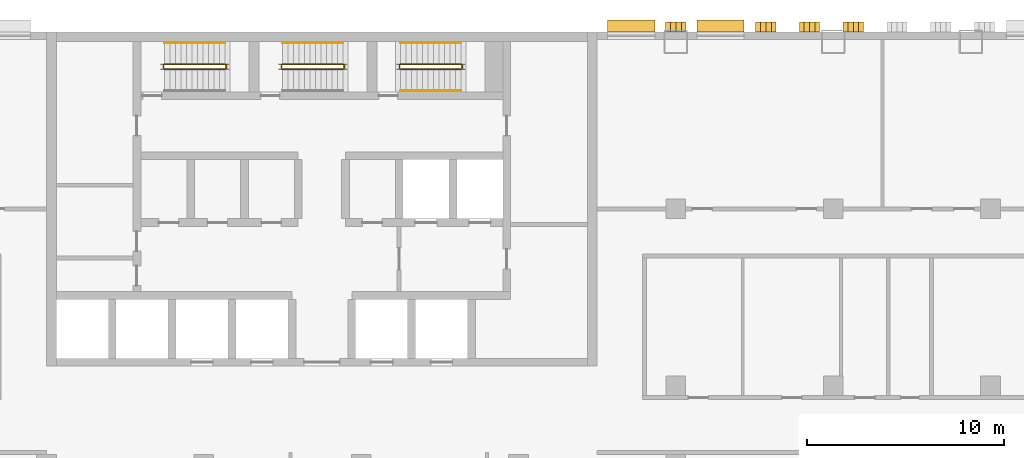
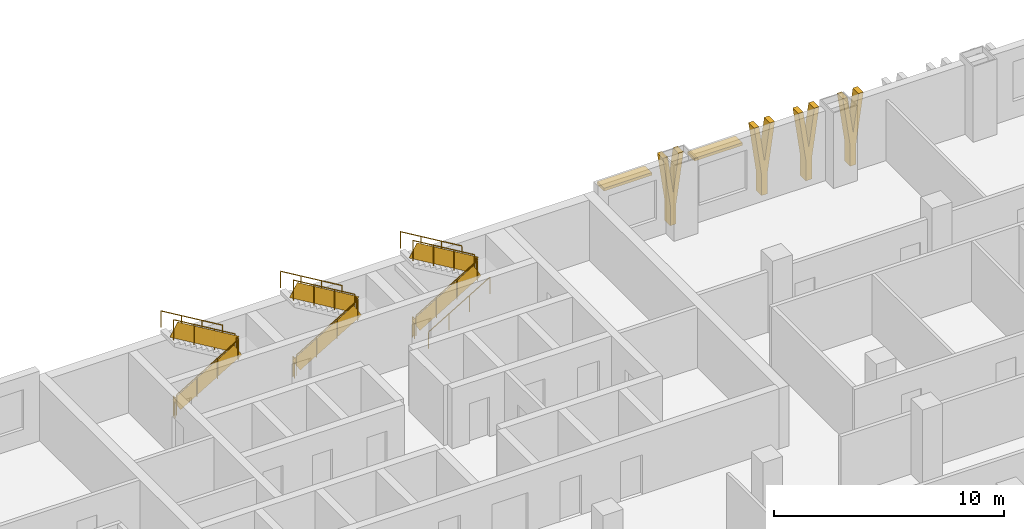
# One storey, part 23 of 24: 16 railings, 6 shading devices.
"""IFC4 building model written with IfcOpenShell, lengths in metres."""

from ifc_helpers import new_model, si_unit, direction, frame, origin, origin_2d, place, context, subcontext, project, spatial, polyline, rectangle, circle, outline, extrude, material, layer, layer_set, type_object, element, save


model = new_model("IFC4")

# Units and contexts
model_context = context("Model", 3, precision=1e-05, world=origin(), true_north=direction((0.0, 1.0)))
body_context = subcontext(model_context, "Body", "Model", "MODEL_VIEW")
ifc_project = project(units=[si_unit("LENGTHUNIT", "METRE"), si_unit("AREAUNIT", "SQUARE_METRE"), si_unit("VOLUMEUNIT", "CUBIC_METRE"), si_unit("PLANEANGLEUNIT", "RADIAN"), si_unit("MASSUNIT", "GRAM", prefix="KILO")], contexts=[model_context])

# Site, building, storey
site_placement = place(None, origin())
site = spatial("IfcSite", under=ifc_project, at=site_placement, CompositionType="ELEMENT")
building_placement = place(site_placement, origin())
building = spatial("IfcBuilding", under=site, at=building_placement, Name="Vidyagriha Tower", CompositionType="ELEMENT")
storey_placement = place(building_placement, frame((0.0, 0.0, 22.0)))
storey = spatial("IfcBuildingStorey", under=building, at=storey_placement, Name="L05", CompositionType="ELEMENT", Elevation=22.0)

# Shading devices
ifc_material_1 = material(Name="Precast concrete C40/50 with brick facing", Category="concrete")
ifc_layer_1 = layer(ifc_material_1, 0.14990234375)
ifc_layer_set_1 = layer_set([ifc_layer_1], Name="Precast concrete C40/50 with brick facing")
shading_device_type_1 = type_object("IfcShadingDeviceType", Name="Brick chhajja window hood", PredefinedType="AWNING", material=ifc_layer_set_1)
for number, where, z_axis, x_axis, name in (
    (1, (20.264892578125, 20.300048828125, 3.0), (0.0, 0.0, 1.0), (-1.0, 0.0, 0.0), "Window hood L05 R02.12"),
    (2, (15.735107421875, 20.300048828125, 3.0), (0.0, 0.0, 1.0), (-1.0, 0.0, 0.0), "Window hood L05 R02.14"),
):
    element("IfcShadingDevice", number, at=place(storey_placement, frame(where, z_axis=z_axis, x_axis=x_axis)), inside=storey, type_object=shading_device_type_1, Name=name, PredefinedType="AWNING", context=body_context, shape_type="SweptSolid", body=[
        extrude(rectangle(XDim=2.39990234375, YDim=0.60009765625, at=origin_2d()), origin(), (0.0, 0.0, 1.0), 0.14990234375),
    ])
ifc_material_2 = material(Name="Precast concrete C40/50 with buff brick facing", Category="concrete")
ifc_layer_2 = layer(ifc_material_2, 0.300048828125)
ifc_layer_set_2 = layer_set([ifc_layer_2], Name="Precast concrete C40/50 with buff brick facing")
shading_device_type_2 = type_object("IfcShadingDeviceType", Name="Brick-faced podium blade forking 8 degrees", PredefinedType="USERDEFINED", material=ifc_layer_set_2)
for number, where, z_axis, x_axis, name in (
    (3, (27.53662109375, 20.25, 0.0), (0.0, 0.0, 1.0), (-1.0, 0.0, 0.0), "Podium blade L05 R02.1258"),
    (4, (25.314208984375, 20.25, 0.0), (0.0, 0.0, 1.0), (-1.0, 0.0, 0.0), "Podium blade L05 R02.1480"),
    (5, (23.091796875, 20.25, 0.0), (0.0, 0.0, 1.0), (-1.0, 0.0, 0.0), "Podium blade L05 R02.1702"),
    (6, (18.515380859375, 20.25, 0.0), (0.0, 0.0, 1.0), (-1.0, 0.0, 0.0), "Podium blade L05 R02.2160"),
):
    element("IfcShadingDevice", number, at=place(storey_placement, frame(where, z_axis=z_axis, x_axis=x_axis)), inside=storey, type_object=shading_device_type_2, Name=name, ObjectType="BLADE FIN", PredefinedType="USERDEFINED", context=body_context, shape_type="SweptSolid", body=[
        extrude(outline(polyline([(0.665283203125, 0.0), (0.665283203125, 1.10009765625), (1.03076171875, 3.699951171875), (0.790771484375, 3.699951171875), (0.515380859375, 1.740478515625), (0.239990234375, 3.699951171875), (0.0, 3.699951171875), (0.365478515625, 1.10009765625), (0.365478515625, 0.0), (0.665283203125, 0.0)])), frame((0.0, 0.25, 0.0), z_axis=(0.0, -1.0, 0.0), x_axis=(1.0, 0.0, 0.0)), (0.0, 0.0, 1.0), 0.5),
    ])

# Railings
ifc_material_3 = material(Name="Steel ASTM A500 Grade C", Category="steel")
railing_type_1 = type_object("IfcRailingType", Name="Stair guard 1100 mm, steel balustrade", PredefinedType="GUARDRAIL", material=ifc_material_3)
railing_1_placement = place(storey_placement, frame((-8.0, 18.10009765625, 0.166748046875)))
element("IfcRailing", 7, at=railing_1_placement, inside=storey, type_object=railing_type_1, Name="L05 ST1 stair guard 1", PredefinedType="GUARDRAIL", context=body_context, shape_type="SweptSolid", body=[
    extrude(circle(Radius=0.02392578125, at=origin_2d()), frame((0.0, 0.0, 1.076171875), z_axis=(0.859308565015, 0.0, 0.511457515432), x_axis=(0.0, 1.0, 0.0)), (0.0, 0.0, 1.0), 3.58447265625),
    extrude(circle(Radius=0.02099609375, at=origin_2d()), origin(), (0.0, 0.0, 1.0), 1.052001953125),
    extrude(circle(Radius=0.02099609375, at=origin_2d()), frame((1.026611328125, 0.0, 0.611083984375)), (0.0, 0.0, 1.0), 1.052001953125),
    extrude(circle(Radius=0.02099609375, at=origin_2d()), frame((2.053466796875, 0.0, 1.22216796875)), (0.0, 0.0, 1.0), 1.052001953125),
    extrude(circle(Radius=0.02099609375, at=origin_2d()), frame((3.080078125, 0.0, 1.833251953125)), (0.0, 0.0, 1.0), 1.052001953125),
    extrude(rectangle(XDim=0.010009765625, YDim=0.775146484375, at=origin_2d()), frame((0.0, 0.0, 0.551025390625), z_axis=(0.859308565015, 0.0, 0.511457515432), x_axis=(0.0, 1.0, 0.0)), (0.0, 0.0, 1.0), 3.58447265625),
])
railing_2_placement = place(storey_placement, frame((-4.8701171875, 18.14990234375, 2.0)))
element("IfcRailing", 8, at=railing_2_placement, inside=storey, type_object=railing_type_1, Name="L05 ST1 stair guard 2", PredefinedType="GUARDRAIL", context=body_context, shape_type="SweptSolid", body=[
    extrude(circle(Radius=0.02392578125, at=origin_2d()), frame((0.0, 0.0, 1.076171875), z_axis=(0.0, 1.0, 0.0), x_axis=(-1.0, 0.0, 0.0)), (0.0, 0.0, 1.0), 0.150146484375),
    extrude(circle(Radius=0.02099609375, at=origin_2d()), origin(), (0.0, 0.0, 1.0), 1.052001953125),
    extrude(circle(Radius=0.02099609375, at=origin_2d()), frame((0.0, 0.150146484375, 0.0)), (0.0, 0.0, 1.0), 1.052001953125),
    extrude(rectangle(XDim=0.010009765625, YDim=0.902099609375, at=origin_2d()), frame((0.0, 0.0, 0.551025390625), z_axis=(0.0, 1.0, 0.0), x_axis=(-1.0, 0.0, 0.0)), (0.0, 0.0, 1.0), 0.150146484375),
])
railing_3_placement = place(storey_placement, frame((-4.919921875, 18.35009765625, 2.166748046875)))
element("IfcRailing", 9, at=railing_3_placement, inside=storey, type_object=railing_type_1, Name="L05 ST1 stair guard 3", PredefinedType="GUARDRAIL", context=body_context, shape_type="SweptSolid", body=[
    extrude(circle(Radius=0.02392578125, at=origin_2d()), frame((0.0, 0.0, 1.076171875), z_axis=(-0.859308565015, 0.0, 0.511457515432), x_axis=(0.0, -1.0, 0.0)), (0.0, 0.0, 1.0), 3.58447265625),
    extrude(circle(Radius=0.02099609375, at=origin_2d()), origin(), (0.0, 0.0, 1.0), 1.052001953125),
    extrude(circle(Radius=0.02099609375, at=origin_2d()), frame((-1.026611328125, 0.0, 0.611083984375)), (0.0, 0.0, 1.0), 1.052001953125),
    extrude(circle(Radius=0.02099609375, at=origin_2d()), frame((-2.053466796875, 0.0, 1.22216796875)), (0.0, 0.0, 1.0), 1.052001953125),
    extrude(circle(Radius=0.02099609375, at=origin_2d()), frame((-3.080078125, 0.0, 1.833251953125)), (0.0, 0.0, 1.0), 1.052001953125),
    extrude(rectangle(XDim=0.010009765625, YDim=0.775146484375, at=origin_2d()), frame((0.0, 0.0, 0.551025390625), z_axis=(-0.859308565015, 0.0, 0.511457515432), x_axis=(0.0, -1.0, 0.0)), (0.0, 0.0, 1.0), 3.58447265625),
])
railing_4_placement = place(storey_placement, frame((-8.050048828125, 18.14990234375, 0.0)))
element("IfcRailing", 10, at=railing_4_placement, inside=storey, type_object=railing_type_1, Name="L05 ST1 stair guard 4", PredefinedType="GUARDRAIL", context=body_context, shape_type="SweptSolid", body=[
    extrude(circle(Radius=0.02392578125, at=origin_2d()), frame((0.0, 0.0, 1.076171875), z_axis=(0.0, 1.0, 0.0), x_axis=(-1.0, 0.0, 0.0)), (0.0, 0.0, 1.0), 0.150146484375),
    extrude(circle(Radius=0.02099609375, at=origin_2d()), origin(), (0.0, 0.0, 1.0), 1.052001953125),
    extrude(circle(Radius=0.02099609375, at=origin_2d()), frame((0.0, 0.150146484375, 0.0)), (0.0, 0.0, 1.0), 1.052001953125),
    extrude(rectangle(XDim=0.010009765625, YDim=0.902099609375, at=origin_2d()), frame((0.0, 0.0, 0.551025390625), z_axis=(0.0, 1.0, 0.0), x_axis=(-1.0, 0.0, 0.0)), (0.0, 0.0, 1.0), 0.150146484375),
])
railing_5_placement = place(storey_placement, frame((-2.0, 18.10009765625, 0.166748046875)))
element("IfcRailing", 11, at=railing_5_placement, inside=storey, type_object=railing_type_1, Name="L05 ST2 stair guard 1", PredefinedType="GUARDRAIL", context=body_context, shape_type="SweptSolid", body=[
    extrude(circle(Radius=0.02392578125, at=origin_2d()), frame((0.0, 0.0, 1.076171875), z_axis=(0.859308565015, 0.0, 0.511457515432), x_axis=(0.0, 1.0, 0.0)), (0.0, 0.0, 1.0), 3.58447265625),
    extrude(circle(Radius=0.02099609375, at=origin_2d()), origin(), (0.0, 0.0, 1.0), 1.052001953125),
    extrude(circle(Radius=0.02099609375, at=origin_2d()), frame((1.026611328125, 0.0, 0.611083984375)), (0.0, 0.0, 1.0), 1.052001953125),
    extrude(circle(Radius=0.02099609375, at=origin_2d()), frame((2.053466796875, 0.0, 1.22216796875)), (0.0, 0.0, 1.0), 1.052001953125),
    extrude(circle(Radius=0.02099609375, at=origin_2d()), frame((3.080078125, 0.0, 1.833251953125)), (0.0, 0.0, 1.0), 1.052001953125),
    extrude(rectangle(XDim=0.010009765625, YDim=0.775146484375, at=origin_2d()), frame((0.0, 0.0, 0.551025390625), z_axis=(0.859308565015, 0.0, 0.511457515432), x_axis=(0.0, 1.0, 0.0)), (0.0, 0.0, 1.0), 3.58447265625),
])
railing_6_placement = place(storey_placement, frame((1.1298828125, 18.14990234375, 2.0)))
element("IfcRailing", 12, at=railing_6_placement, inside=storey, type_object=railing_type_1, Name="L05 ST2 stair guard 2", PredefinedType="GUARDRAIL", context=body_context, shape_type="SweptSolid", body=[
    extrude(circle(Radius=0.02392578125, at=origin_2d()), frame((0.0, 0.0, 1.076171875), z_axis=(0.0, 1.0, 0.0), x_axis=(-1.0, 0.0, 0.0)), (0.0, 0.0, 1.0), 0.150146484375),
    extrude(circle(Radius=0.02099609375, at=origin_2d()), origin(), (0.0, 0.0, 1.0), 1.052001953125),
    extrude(circle(Radius=0.02099609375, at=origin_2d()), frame((0.0, 0.150146484375, 0.0)), (0.0, 0.0, 1.0), 1.052001953125),
    extrude(rectangle(XDim=0.010009765625, YDim=0.902099609375, at=origin_2d()), frame((0.0, 0.0, 0.551025390625), z_axis=(0.0, 1.0, 0.0), x_axis=(-1.0, 0.0, 0.0)), (0.0, 0.0, 1.0), 0.150146484375),
])
railing_7_placement = place(storey_placement, frame((1.080078125, 18.35009765625, 2.166748046875)))
element("IfcRailing", 13, at=railing_7_placement, inside=storey, type_object=railing_type_1, Name="L05 ST2 stair guard 3", PredefinedType="GUARDRAIL", context=body_context, shape_type="SweptSolid", body=[
    extrude(circle(Radius=0.02392578125, at=origin_2d()), frame((0.0, 0.0, 1.076171875), z_axis=(-0.859308565015, 0.0, 0.511457515432), x_axis=(0.0, -1.0, 0.0)), (0.0, 0.0, 1.0), 3.58447265625),
    extrude(circle(Radius=0.02099609375, at=origin_2d()), origin(), (0.0, 0.0, 1.0), 1.052001953125),
    extrude(circle(Radius=0.02099609375, at=origin_2d()), frame((-1.026611328125, 0.0, 0.611083984375)), (0.0, 0.0, 1.0), 1.052001953125),
    extrude(circle(Radius=0.02099609375, at=origin_2d()), frame((-2.053466796875, 0.0, 1.22216796875)), (0.0, 0.0, 1.0), 1.052001953125),
    extrude(circle(Radius=0.02099609375, at=origin_2d()), frame((-3.080078125, 0.0, 1.833251953125)), (0.0, 0.0, 1.0), 1.052001953125),
    extrude(rectangle(XDim=0.010009765625, YDim=0.775146484375, at=origin_2d()), frame((0.0, 0.0, 0.551025390625), z_axis=(-0.859308565015, 0.0, 0.511457515432), x_axis=(0.0, -1.0, 0.0)), (0.0, 0.0, 1.0), 3.58447265625),
])
railing_8_placement = place(storey_placement, frame((-2.050048828125, 18.14990234375, 0.0)))
element("IfcRailing", 14, at=railing_8_placement, inside=storey, type_object=railing_type_1, Name="L05 ST2 stair guard 4", PredefinedType="GUARDRAIL", context=body_context, shape_type="SweptSolid", body=[
    extrude(circle(Radius=0.02392578125, at=origin_2d()), frame((0.0, 0.0, 1.076171875), z_axis=(0.0, 1.0, 0.0), x_axis=(-1.0, 0.0, 0.0)), (0.0, 0.0, 1.0), 0.150146484375),
    extrude(circle(Radius=0.02099609375, at=origin_2d()), origin(), (0.0, 0.0, 1.0), 1.052001953125),
    extrude(circle(Radius=0.02099609375, at=origin_2d()), frame((0.0, 0.150146484375, 0.0)), (0.0, 0.0, 1.0), 1.052001953125),
    extrude(rectangle(XDim=0.010009765625, YDim=0.902099609375, at=origin_2d()), frame((0.0, 0.0, 0.551025390625), z_axis=(0.0, 1.0, 0.0), x_axis=(-1.0, 0.0, 0.0)), (0.0, 0.0, 1.0), 0.150146484375),
])
railing_9_placement = place(storey_placement, frame((4.0, 18.10009765625, 0.166748046875)))
element("IfcRailing", 15, at=railing_9_placement, inside=storey, type_object=railing_type_1, Name="L05 ST3 stair guard 1", PredefinedType="GUARDRAIL", context=body_context, shape_type="SweptSolid", body=[
    extrude(circle(Radius=0.02392578125, at=origin_2d()), frame((0.0, 0.0, 1.076171875), z_axis=(0.859308565015, 0.0, 0.511457515432), x_axis=(0.0, 1.0, 0.0)), (0.0, 0.0, 1.0), 3.58447265625),
    extrude(circle(Radius=0.02099609375, at=origin_2d()), origin(), (0.0, 0.0, 1.0), 1.052001953125),
    extrude(circle(Radius=0.02099609375, at=origin_2d()), frame((1.026611328125, 0.0, 0.611083984375)), (0.0, 0.0, 1.0), 1.052001953125),
    extrude(circle(Radius=0.02099609375, at=origin_2d()), frame((2.053466796875, 0.0, 1.22216796875)), (0.0, 0.0, 1.0), 1.052001953125),
    extrude(circle(Radius=0.02099609375, at=origin_2d()), frame((3.080078125, 0.0, 1.833251953125)), (0.0, 0.0, 1.0), 1.052001953125),
    extrude(rectangle(XDim=0.010009765625, YDim=0.775146484375, at=origin_2d()), frame((0.0, 0.0, 0.551025390625), z_axis=(0.859308565015, 0.0, 0.511457515432), x_axis=(0.0, 1.0, 0.0)), (0.0, 0.0, 1.0), 3.58447265625),
])
railing_10_placement = place(storey_placement, frame((7.1298828125, 18.14990234375, 2.0)))
element("IfcRailing", 16, at=railing_10_placement, inside=storey, type_object=railing_type_1, Name="L05 ST3 stair guard 2", PredefinedType="GUARDRAIL", context=body_context, shape_type="SweptSolid", body=[
    extrude(circle(Radius=0.02392578125, at=origin_2d()), frame((0.0, 0.0, 1.076171875), z_axis=(0.0, 1.0, 0.0), x_axis=(-1.0, 0.0, 0.0)), (0.0, 0.0, 1.0), 0.150146484375),
    extrude(circle(Radius=0.02099609375, at=origin_2d()), origin(), (0.0, 0.0, 1.0), 1.052001953125),
    extrude(circle(Radius=0.02099609375, at=origin_2d()), frame((0.0, 0.150146484375, 0.0)), (0.0, 0.0, 1.0), 1.052001953125),
    extrude(rectangle(XDim=0.010009765625, YDim=0.902099609375, at=origin_2d()), frame((0.0, 0.0, 0.551025390625), z_axis=(0.0, 1.0, 0.0), x_axis=(-1.0, 0.0, 0.0)), (0.0, 0.0, 1.0), 0.150146484375),
])
railing_11_placement = place(storey_placement, frame((7.080078125, 18.35009765625, 2.166748046875)))
element("IfcRailing", 17, at=railing_11_placement, inside=storey, type_object=railing_type_1, Name="L05 ST3 stair guard 3", PredefinedType="GUARDRAIL", context=body_context, shape_type="SweptSolid", body=[
    extrude(circle(Radius=0.02392578125, at=origin_2d()), frame((0.0, 0.0, 1.076171875), z_axis=(-0.859308565015, 0.0, 0.511457515432), x_axis=(0.0, -1.0, 0.0)), (0.0, 0.0, 1.0), 3.58447265625),
    extrude(circle(Radius=0.02099609375, at=origin_2d()), origin(), (0.0, 0.0, 1.0), 1.052001953125),
    extrude(circle(Radius=0.02099609375, at=origin_2d()), frame((-1.026611328125, 0.0, 0.611083984375)), (0.0, 0.0, 1.0), 1.052001953125),
    extrude(circle(Radius=0.02099609375, at=origin_2d()), frame((-2.053466796875, 0.0, 1.22216796875)), (0.0, 0.0, 1.0), 1.052001953125),
    extrude(circle(Radius=0.02099609375, at=origin_2d()), frame((-3.080078125, 0.0, 1.833251953125)), (0.0, 0.0, 1.0), 1.052001953125),
    extrude(rectangle(XDim=0.010009765625, YDim=0.775146484375, at=origin_2d()), frame((0.0, 0.0, 0.551025390625), z_axis=(-0.859308565015, 0.0, 0.511457515432), x_axis=(0.0, -1.0, 0.0)), (0.0, 0.0, 1.0), 3.58447265625),
])
railing_12_placement = place(storey_placement, frame((3.949951171875, 18.14990234375, 0.0)))
element("IfcRailing", 18, at=railing_12_placement, inside=storey, type_object=railing_type_1, Name="L05 ST3 stair guard 4", PredefinedType="GUARDRAIL", context=body_context, shape_type="SweptSolid", body=[
    extrude(circle(Radius=0.02392578125, at=origin_2d()), frame((0.0, 0.0, 1.076171875), z_axis=(0.0, 1.0, 0.0), x_axis=(-1.0, 0.0, 0.0)), (0.0, 0.0, 1.0), 0.150146484375),
    extrude(circle(Radius=0.02099609375, at=origin_2d()), origin(), (0.0, 0.0, 1.0), 1.052001953125),
    extrude(circle(Radius=0.02099609375, at=origin_2d()), frame((0.0, 0.150146484375, 0.0)), (0.0, 0.0, 1.0), 1.052001953125),
    extrude(rectangle(XDim=0.010009765625, YDim=0.902099609375, at=origin_2d()), frame((0.0, 0.0, 0.551025390625), z_axis=(0.0, 1.0, 0.0), x_axis=(-1.0, 0.0, 0.0)), (0.0, 0.0, 1.0), 0.150146484375),
])
ifc_material_4 = material(Name="Steel ASTM A500 Grade C", Category="steel")
railing_type_2 = type_object("IfcRailingType", Name="Stair handrail 900 mm, steel", PredefinedType="HANDRAIL", material=ifc_material_4)
for number, where, name in (
    (19, (-4.919921875, 19.449951171875, 2.166748046875), "L05 ST1 stair handrail 2"),
    (20, (1.080078125, 19.449951171875, 2.166748046875), "L05 ST2 stair handrail 2"),
):
    element("IfcRailing", number, at=place(storey_placement, frame(where)), inside=storey, type_object=railing_type_2, Name=name, PredefinedType="HANDRAIL", context=body_context, shape_type="SweptSolid", body=[
        extrude(circle(Radius=0.02392578125, at=origin_2d()), frame((0.0, 0.0, 0.8759765625), z_axis=(-0.859308565015, 0.0, 0.511457515432), x_axis=(0.0, -1.0, 0.0)), (0.0, 0.0, 1.0), 3.58447265625),
        extrude(circle(Radius=0.02099609375, at=origin_2d()), origin(), (0.0, 0.0, 1.0), 0.851806640625),
        extrude(circle(Radius=0.02099609375, at=origin_2d()), frame((-1.026611328125, 0.0, 0.611083984375)), (0.0, 0.0, 1.0), 0.851806640625),
        extrude(circle(Radius=0.02099609375, at=origin_2d()), frame((-2.053466796875, 0.0, 1.22216796875)), (0.0, 0.0, 1.0), 0.851806640625),
        extrude(circle(Radius=0.02099609375, at=origin_2d()), frame((-3.080078125, 0.0, 1.833251953125)), (0.0, 0.0, 1.0), 0.851806640625),
    ])
railing_13_placement = place(storey_placement, frame((4.0, 17.0, 0.166748046875)))
element("IfcRailing", 21, at=railing_13_placement, inside=storey, type_object=railing_type_2, Name="L05 ST3 stair handrail 1", PredefinedType="HANDRAIL", context=body_context, shape_type="SweptSolid", body=[
    extrude(circle(Radius=0.02392578125, at=origin_2d()), frame((0.0, 0.0, 0.8759765625), z_axis=(0.859308565015, 0.0, 0.511457515432), x_axis=(0.0, 1.0, 0.0)), (0.0, 0.0, 1.0), 3.58447265625),
    extrude(circle(Radius=0.02099609375, at=origin_2d()), origin(), (0.0, 0.0, 1.0), 0.851806640625),
    extrude(circle(Radius=0.02099609375, at=origin_2d()), frame((1.026611328125, 0.0, 0.611083984375)), (0.0, 0.0, 1.0), 0.851806640625),
    extrude(circle(Radius=0.02099609375, at=origin_2d()), frame((2.053466796875, 0.0, 1.22216796875)), (0.0, 0.0, 1.0), 0.851806640625),
    extrude(circle(Radius=0.02099609375, at=origin_2d()), frame((3.080078125, 0.0, 1.833251953125)), (0.0, 0.0, 1.0), 0.851806640625),
])
railing_14_placement = place(storey_placement, frame((7.080078125, 19.449951171875, 2.166748046875)))
element("IfcRailing", 22, at=railing_14_placement, inside=storey, type_object=railing_type_2, Name="L05 ST3 stair handrail 2", PredefinedType="HANDRAIL", context=body_context, shape_type="SweptSolid", body=[
    extrude(circle(Radius=0.02392578125, at=origin_2d()), frame((0.0, 0.0, 0.8759765625), z_axis=(-0.859308565015, 0.0, 0.511457515432), x_axis=(0.0, -1.0, 0.0)), (0.0, 0.0, 1.0), 3.58447265625),
    extrude(circle(Radius=0.02099609375, at=origin_2d()), origin(), (0.0, 0.0, 1.0), 0.851806640625),
    extrude(circle(Radius=0.02099609375, at=origin_2d()), frame((-1.026611328125, 0.0, 0.611083984375)), (0.0, 0.0, 1.0), 0.851806640625),
    extrude(circle(Radius=0.02099609375, at=origin_2d()), frame((-2.053466796875, 0.0, 1.22216796875)), (0.0, 0.0, 1.0), 0.851806640625),
    extrude(circle(Radius=0.02099609375, at=origin_2d()), frame((-3.080078125, 0.0, 1.833251953125)), (0.0, 0.0, 1.0), 0.851806640625),
])

save(model, "model.ifc")
